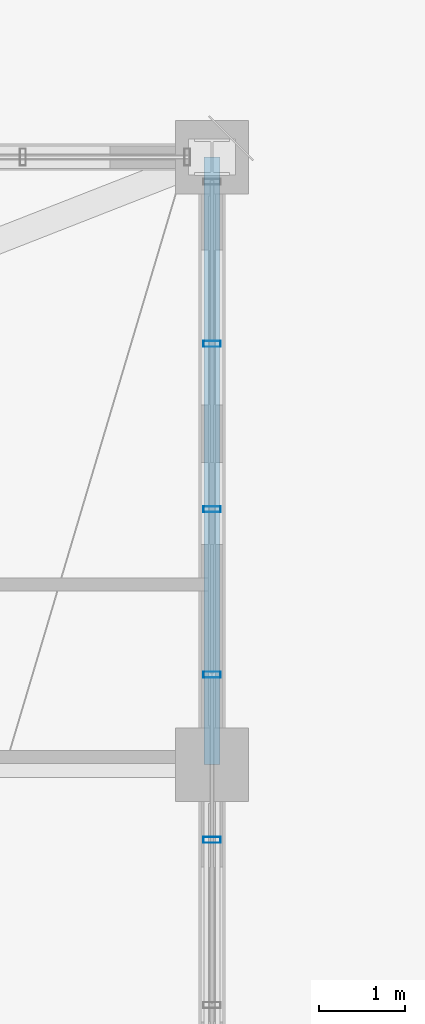
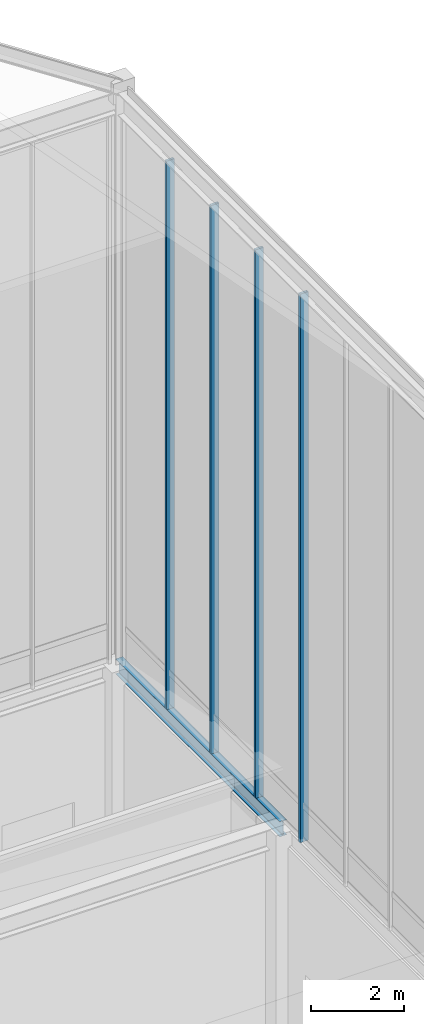
# One storey, part 37 of 49: 4 members, 1 beam, 1 element without a shape of its own.
"""IFC4 building model written with IfcOpenShell, lengths in metres."""

import ifcopenshell
import ifcopenshell.guid

model = None  # the IFC model being written
_history = None  # IfcOwnerHistory: only IFC2X3 demands one
_inside = {}  # id of a spatial element -> (the spatial element, [elements in it])
_under = {}  # id of a project, library or spatial element -> (it, [spatial elements below it])
_declared = {}  # id of a project -> (the project, [libraries it declares])
_typed = {}  # id of a type object -> (the type object, [elements of that type])
_made_of = {}  # id of a material, layer set ... -> (it, [elements and type objects made of it])


def new_model(schema):
    """Start an empty IFC model of exactly this schema.

    Asked for "IFC4X3", IfcOpenShell would pick the latest addendum, in which some entities
    have other attributes; the version numbers below select the first issue.
    IFC2X3 requires an IfcOwnerHistory on every rooted entity: one is made here for all.
    """
    global model, _history
    if schema == "IFC4X3":
        model = ifcopenshell.file(schema_version=(4, 3, 0, 0))
    else:
        model = ifcopenshell.file(schema=schema)
    _inside.clear()
    _under.clear()
    _declared.clear()
    _typed.clear()
    _made_of.clear()
    _history = None
    if model.schema == "IFC2X3":
        org = make("IfcOrganization", Name="unknown")
        user = make(
            "IfcPersonAndOrganization",
            ThePerson=make("IfcPerson", FamilyName="unknown"),
            TheOrganization=org,
        )
        app = make(
            "IfcApplication",
            ApplicationDeveloper=org,
            Version="unknown",
            ApplicationFullName="unknown",
            ApplicationIdentifier="unknown",
        )
        _history = make(
            "IfcOwnerHistory",
            OwningUser=user,
            OwningApplication=app,
            ChangeAction="ADDED",
            CreationDate=0,
        )
    return model


def make(cls, **values):
    """One entity of the class cls with the attributes given. An attribute that is None is left unset."""
    return model.create_entity(
        cls, **{name: value for name, value in values.items() if value is not None}
    )


def rooted(cls, **values):
    """An entity with a GlobalId (a new one), such as an element, a storey or a relation."""
    return make(cls, GlobalId=ifcopenshell.guid.new(), OwnerHistory=_history, **values)


def si_unit(unit_type, name, prefix=None):
    """IfcSIUnit, for example si_unit("LENGTHUNIT", "METRE", prefix="MILLI")."""
    return make("IfcSIUnit", UnitType=unit_type, Prefix=prefix, Name=name)


def assignment(units):
    """IfcUnitAssignment: the units of a project."""
    return None if units is None else make("IfcUnitAssignment", Units=units)


def point(xyz):
    """IfcCartesianPoint."""
    return None if xyz is None else make("IfcCartesianPoint", Coordinates=xyz)


def direction(xyz):
    """IfcDirection."""
    return None if xyz is None else make("IfcDirection", DirectionRatios=xyz)


def frame(location, z_axis=None, x_axis=None):
    """IfcAxis2Placement3D, a coordinate frame: its origin and axes. An axis left out is left unset."""
    return make(
        "IfcAxis2Placement3D",
        Location=point(location),
        Axis=direction(z_axis),
        RefDirection=direction(x_axis),
    )


def frame_2d(location, x_axis=None):
    """IfcAxis2Placement2D, a coordinate frame in the plane: its origin and x axis."""
    return make(
        "IfcAxis2Placement2D", Location=point(location), RefDirection=direction(x_axis)
    )


def origin():
    """The frame at (0, 0, 0) with its axes left unset."""
    return frame((0.0, 0.0, 0.0))


def origin_2d():
    """The frame at (0, 0) in the plane with its x axis left unset."""
    return frame_2d((0.0, 0.0))


def place(relative_to, where):
    """IfcLocalPlacement: puts the frame where relative to a parent placement (None: the world)."""
    return make(
        "IfcLocalPlacement", PlacementRelTo=relative_to, RelativePlacement=where
    )


def context(
    kind, dimensions, precision=None, world=None, true_north=None, identifier=None
):
    """IfcGeometricRepresentationContext, for example the 3D "Model" context."""
    return make(
        "IfcGeometricRepresentationContext",
        ContextIdentifier=identifier,
        ContextType=kind,
        CoordinateSpaceDimension=dimensions,
        Precision=precision,
        WorldCoordinateSystem=world,
        TrueNorth=true_north,
    )


def subcontext(parent, identifier, kind, view, scale=None):
    """IfcGeometricRepresentationSubContext, for example "Body" below "Model"."""
    return make(
        "IfcGeometricRepresentationSubContext",
        ContextIdentifier=identifier,
        ContextType=kind,
        ParentContext=parent,
        TargetScale=scale,
        TargetView=view,
    )


def project(units=None, contexts=None):
    """IfcProject with its units and contexts."""
    return rooted(
        "IfcProject",
        Name="project",
        RepresentationContexts=contexts,
        UnitsInContext=assignment(units),
    )


def spatial(cls, under=None, at=None, **own):
    """A site, building, storey or space (cls), placed at a placement, below another one or the project."""
    s = rooted(cls, ObjectPlacement=at, **own)
    if under is not None:
        _under.setdefault(under.id(), (under, []))[1].append(s)
    return s


def profile(cls, at=None, kind="AREA", **sizes):
    """A parametric profile (cls). Its sizes go by their IFC names, for example OverallWidth=200.0."""
    return make(cls, ProfileType=kind, Position=at, **sizes)


def hollow_rectangle(**sizes):
    """IfcRectangleHollowProfileDef."""
    return profile("IfcRectangleHollowProfileDef", **sizes)


def i_section(**sizes):
    """IfcIShapeProfileDef."""
    return profile("IfcIShapeProfileDef", **sizes)


def extrude(swept, where, along, depth):
    """IfcExtrudedAreaSolid: the profile swept, set in the frame where, extruded along a direction by depth."""
    return make(
        "IfcExtrudedAreaSolid",
        SweptArea=swept,
        Position=where,
        ExtrudedDirection=direction(along),
        Depth=depth,
    )


def shape(context_of_items, identifier, shape_type, items):
    """IfcShapeRepresentation: the items that make up one representation, for example the "Body"."""
    return make(
        "IfcShapeRepresentation",
        ContextOfItems=context_of_items,
        RepresentationIdentifier=identifier,
        RepresentationType=shape_type,
        Items=items,
    )


def source(mapping_origin, context_of_items, identifier, shape_type, items):
    """IfcRepresentationMap: a shape defined once, which mapped items show again and again."""
    return make(
        "IfcRepresentationMap",
        MappingOrigin=mapping_origin,
        MappedRepresentation=shape(context_of_items, identifier, shape_type, items),
    )


def transform(
    local_origin,
    x_axis=None,
    y_axis=None,
    z_axis=None,
    scale=None,
    scale2=None,
    scale3=None,
    uniform=True,
):
    """IfcCartesianTransformationOperator3D, or its non-uniform kind. x_axis, y_axis, z_axis: its Axis1, 2, 3."""
    if uniform:
        return make(
            "IfcCartesianTransformationOperator3D",
            Axis1=direction(x_axis),
            Axis2=direction(y_axis),
            LocalOrigin=point(local_origin),
            Scale=scale,
            Axis3=direction(z_axis),
        )
    return make(
        "IfcCartesianTransformationOperator3DnonUniform",
        Axis1=direction(x_axis),
        Axis2=direction(y_axis),
        LocalOrigin=point(local_origin),
        Scale=scale,
        Axis3=direction(z_axis),
        Scale2=scale2,
        Scale3=scale3,
    )


def mapped(mapping_source, mapping_target):
    """IfcMappedItem: shows the shape of a source again, moved by a transform."""
    return make(
        "IfcMappedItem", MappingSource=mapping_source, MappingTarget=mapping_target
    )


def material(Name=None, Category=None):
    """IfcMaterial."""
    return make("IfcMaterial", Name=Name, Category=Category)


def layer(
    of_material, thickness, ventilated=None, Name=None, Category=None, Priority=None
):
    """IfcMaterialLayer: one layer of a wall or slab, of a material (None: an air gap)."""
    return make(
        "IfcMaterialLayer",
        Material=of_material,
        LayerThickness=thickness,
        IsVentilated=ventilated,
        Name=Name,
        Category=Category,
        Priority=Priority,
    )


def layer_set(layers, Name=None):
    """IfcMaterialLayerSet."""
    return make("IfcMaterialLayerSet", MaterialLayers=layers, LayerSetName=Name)


def material_profile(
    of_material, cross_section, Name=None, Category=None, Priority=None
):
    """IfcMaterialProfile: a cross section and its material."""
    return make(
        "IfcMaterialProfile",
        Name=Name,
        Material=of_material,
        Profile=cross_section,
        Priority=Priority,
        Category=Category,
    )


def profile_set(profiles, Name=None, composite=None):
    """IfcMaterialProfileSet."""
    return make(
        "IfcMaterialProfileSet",
        Name=Name,
        MaterialProfiles=profiles,
        CompositeProfile=composite,
    )


def made_of(thing, what):
    """Note that an element or type object is made of a material, layer set ...; save() writes the relation."""
    if what is not None:
        _made_of.setdefault(what.id(), (what, []))[1].append(thing)
    return thing


def type_object(cls, material=None, **own):
    """A type object (cls), such as IfcWallType, which elements share."""
    return made_of(rooted(cls, **own), material)


def element(
    cls,
    number,
    at=None,
    inside=None,
    cuts=None,
    type_object=None,
    material=None,
    context=None,
    identifier="Body",
    shape_type=None,
    held_by="IfcProductDefinitionShape",
    body=None,
    shapes=None,
    **own,
):
    """One element of the class cls, such as IfcWall. Its Tag is "e" and its number.

    at: its placement. inside: the storey or other place that contains it. cuts: it is an
    opening in that element (IfcRelVoidsElement). A single representation is given by context,
    identifier, shape_type and body (its items); several are given by shapes. held_by: the class
    of the entity that holds the representations. save() writes the other relations.
    """
    e = rooted(cls, Tag="e%d" % number, ObjectPlacement=at, **own)
    if body is not None:
        shapes = [shape(context, identifier, shape_type, body)]
    if shapes is not None:
        e.Representation = make(held_by, Representations=shapes)
    if inside is not None:
        _inside.setdefault(inside.id(), (inside, []))[1].append(e)
    if cuts is not None:
        rooted(
            "IfcRelVoidsElement", RelatingBuildingElement=cuts, RelatedOpeningElement=e
        )
    if type_object is not None:
        _typed.setdefault(type_object.id(), (type_object, []))[1].append(e)
    return made_of(e, material)


def aggregate(whole, parts):
    """IfcRelAggregates: a whole, such as a stair, and the parts it consists of."""
    return rooted("IfcRelAggregates", RelatingObject=whole, RelatedObjects=parts)


def save(model, path):
    """Write the relations noted so far, then the file.

    IfcRelAggregates (storeys below a building ...), IfcRelContainedInSpatialStructure (elements
    in a storey), IfcRelDefinesByType, IfcRelAssociatesMaterial and IfcRelDeclares: one each for
    every whole, place, type object, material and project.
    """
    for whole, parts in _under.values():
        aggregate(whole, parts)
    for where, things in _inside.values():
        rooted(
            "IfcRelContainedInSpatialStructure",
            RelatedElements=things,
            RelatingStructure=where,
        )
    for kind, things in _typed.values():
        rooted("IfcRelDefinesByType", RelatedObjects=things, RelatingType=kind)
    for what, things in _made_of.values():
        rooted("IfcRelAssociatesMaterial", RelatedObjects=things, RelatingMaterial=what)
    for by, libraries in _declared.values():
        rooted("IfcRelDeclares", RelatingContext=by, RelatedDefinitions=libraries)
    model.write(path)


model = new_model("IFC4")

# Units and contexts
model_context = context("Model", 3, precision=1e-05, world=origin(), true_north=direction((0.0, 1.0)))
body_context = subcontext(model_context, "Body", "Model", "MODEL_VIEW")
ifc_project = project(units=[si_unit("LENGTHUNIT", "METRE"), si_unit("AREAUNIT", "SQUARE_METRE"), si_unit("VOLUMEUNIT", "CUBIC_METRE"), si_unit("PLANEANGLEUNIT", "RADIAN"), si_unit("MASSUNIT", "GRAM", prefix="KILO")], contexts=[model_context])

# Site, building, storey
site_placement = place(None, origin())
site = spatial("IfcSite", under=ifc_project, at=site_placement, CompositionType="ELEMENT")
building_placement = place(site_placement, origin())
building = spatial("IfcBuilding", under=site, at=building_placement, Name="Kaliganga Portal Commons", CompositionType="ELEMENT")
storey_placement = place(building_placement, frame((0.0, 0.0, 298.0)))
storey = spatial("IfcBuildingStorey", under=building, at=storey_placement, Name="L77", CompositionType="ELEMENT", Elevation=298.0)

# Beam
ifc_material_1 = material(Name="Structural steel S355J2", Category="steel")
ifc_material_profile_1 = material_profile(ifc_material_1, i_section(OverallWidth=0.179931640625, OverallDepth=0.39990234375, WebThickness=0.008544921875, FlangeThickness=0.013427734375, FilletRadius=0.02099609375, at=origin_2d()), Name="IPE 400")
ifc_profile_set_1 = profile_set([ifc_material_profile_1], Name="Structural steel S355J2 wide-flange")
beam_type = type_object("IfcBeamType", Name="BM-FLR-400", PredefinedType="BEAM", material=ifc_profile_set_1)
shared_shape_1 = source(origin(), body_context, "Body", "SweptSolid", [
    extrude(i_section(OverallWidth=0.179931640625, OverallDepth=0.39990234375, WebThickness=0.008544921875, FlangeThickness=0.013427734375, FilletRadius=0.02099609375, at=origin_2d()), origin(), (0.0, 0.0, 1.0), 7.050048828125),
])
beam_placement = place(storey_placement, frame((46.800048828125, 36.14990234375, 5.800048828125), z_axis=(0.0, 1.0, 0.0), x_axis=(-1.0, 0.0, 0.0)))
element("IfcBeam", 1, at=beam_placement, inside=storey, type_object=beam_type, Name="BM G L77 AN468", PredefinedType="BEAM", context=body_context, shape_type="MappedRepresentation", body=[
    mapped(shared_shape_1, transform((0.0, 0.0, 0.0), x_axis=(1.0, 0.0, 0.0), y_axis=(0.0, 1.0, 0.0), z_axis=(0.0, 0.0, 1.0), scale=1.0)),
])

# Curtain wall, members
ifc_material_2 = material(Name="Anodized Aluminium and Laminated Low-E Glass", Category="aluminium")
ifc_layer = layer(ifc_material_2, 0.25)
ifc_layer_set = layer_set([ifc_layer], Name="Anodized Aluminium and Laminated Low-E Glass")
curtain_wall_type = type_object("IfcCurtainWallType", Name="CW-SYS-06", PredefinedType="NOTDEFINED", material=ifc_layer_set)
curtain_wall_placement = place(storey_placement, origin())
curtain_wall = element("IfcCurtainWall", 2, at=curtain_wall_placement, inside=storey, type_object=curtain_wall_type, Name="CW 06 L77 E", PredefinedType="NOTDEFINED")
ifc_material_3 = material(Name="Dark Bronze Anodized Aluminium", Category="aluminium")
ifc_material_profile_2 = material_profile(ifc_material_3, hollow_rectangle(XDim=0.070068359375, YDim=0.199951171875, WallThickness=0.00390625, at=origin_2d()), Name="ALU MULL 70x200x4")
ifc_profile_set_2 = profile_set([ifc_material_profile_2], Name="Dark Bronze Anodized Aluminium")
member_type = type_object("IfcMemberType", Name="CW-MUL-220", PredefinedType="MULLION", material=ifc_profile_set_2)
shared_shape_2 = source(origin(), body_context, "Body", "SweptSolid", [
    extrude(hollow_rectangle(XDim=0.070068359375, YDim=0.199951171875, WallThickness=0.00390625, at=origin_2d()), origin(), (0.0, 0.0, 1.0), 14.39990234375),
])
member_1_placement = place(storey_placement, frame((46.800048828125, 35.27734375, 6.0), z_axis=(0.0, 0.0, 1.0), x_axis=(0.0, 1.0, 0.0)))
member_1 = element("IfcMember", 3, at=member_1_placement, type_object=member_type, Name="CW:06:L77:E Mullion 07", PredefinedType="MULLION", context=body_context, shape_type="MappedRepresentation", body=[
    mapped(shared_shape_2, transform((0.0, 0.0, 0.0), x_axis=(1.0, 0.0, 0.0), y_axis=(0.0, 1.0, 0.0), z_axis=(0.0, 0.0, 1.0), scale=1.0)),
])
member_2_placement = place(storey_placement, frame((46.800048828125, 37.195556640625, 6.0), z_axis=(0.0, 0.0, 1.0), x_axis=(0.0, 1.0, 0.0)))
member_2 = element("IfcMember", 4, at=member_2_placement, type_object=member_type, Name="CW:06:L77:E Mullion 08", PredefinedType="MULLION", context=body_context, shape_type="MappedRepresentation", body=[
    mapped(shared_shape_2, transform((0.0, 0.0, 0.0), x_axis=(1.0, 0.0, 0.0), y_axis=(0.0, 1.0, 0.0), z_axis=(0.0, 0.0, 1.0), scale=1.0)),
])
member_3_placement = place(storey_placement, frame((46.800048828125, 39.113525390625, 6.0), z_axis=(0.0, 0.0, 1.0), x_axis=(0.0, 1.0, 0.0)))
member_3 = element("IfcMember", 5, at=member_3_placement, type_object=member_type, Name="CW:06:L77:E Mullion 09", PredefinedType="MULLION", context=body_context, shape_type="MappedRepresentation", body=[
    mapped(shared_shape_2, transform((0.0, 0.0, 0.0), x_axis=(1.0, 0.0, 0.0), y_axis=(0.0, 1.0, 0.0), z_axis=(0.0, 0.0, 1.0), scale=1.0)),
])
member_4_placement = place(storey_placement, frame((46.800048828125, 41.03173828125, 6.0), z_axis=(0.0, 0.0, 1.0), x_axis=(0.0, 1.0, 0.0)))
member_4 = element("IfcMember", 6, at=member_4_placement, type_object=member_type, Name="CW:06:L77:E Mullion 10", PredefinedType="MULLION", context=body_context, shape_type="MappedRepresentation", body=[
    mapped(shared_shape_2, transform((0.0, 0.0, 0.0), x_axis=(1.0, 0.0, 0.0), y_axis=(0.0, 1.0, 0.0), z_axis=(0.0, 0.0, 1.0), scale=1.0)),
])
aggregate(curtain_wall, [member_1, member_2, member_3, member_4])

save(model, "model.ifc")
